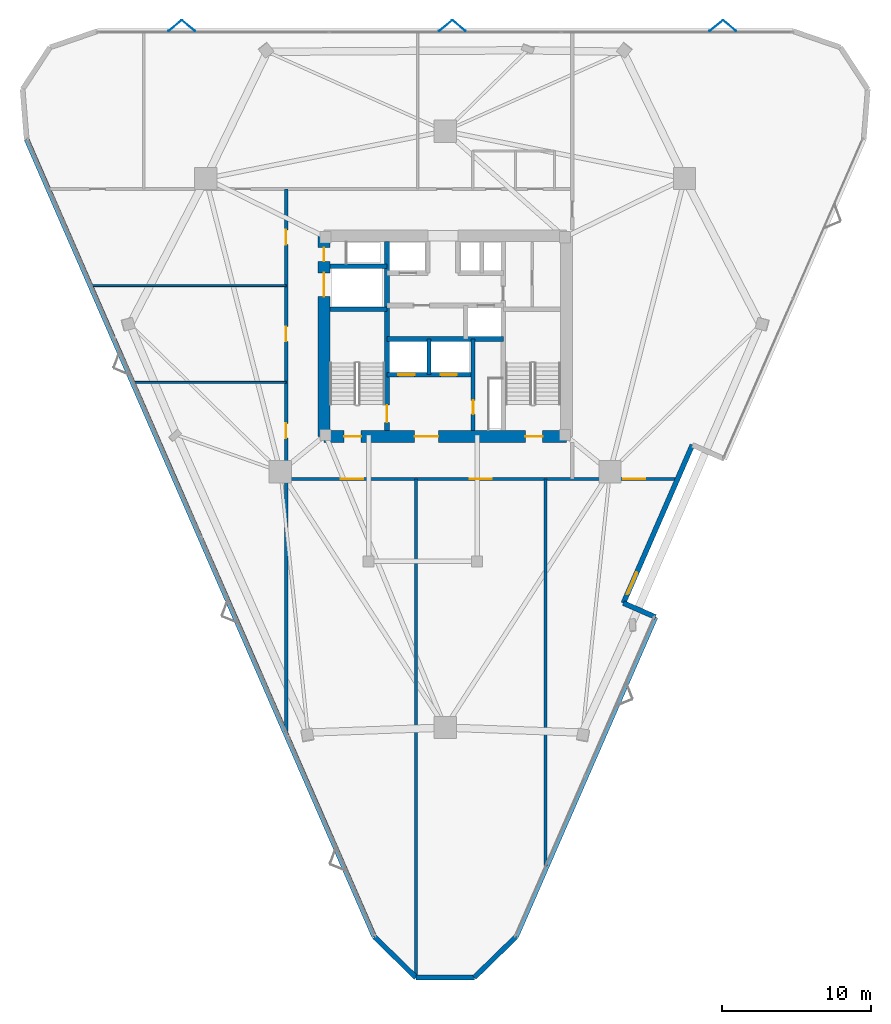
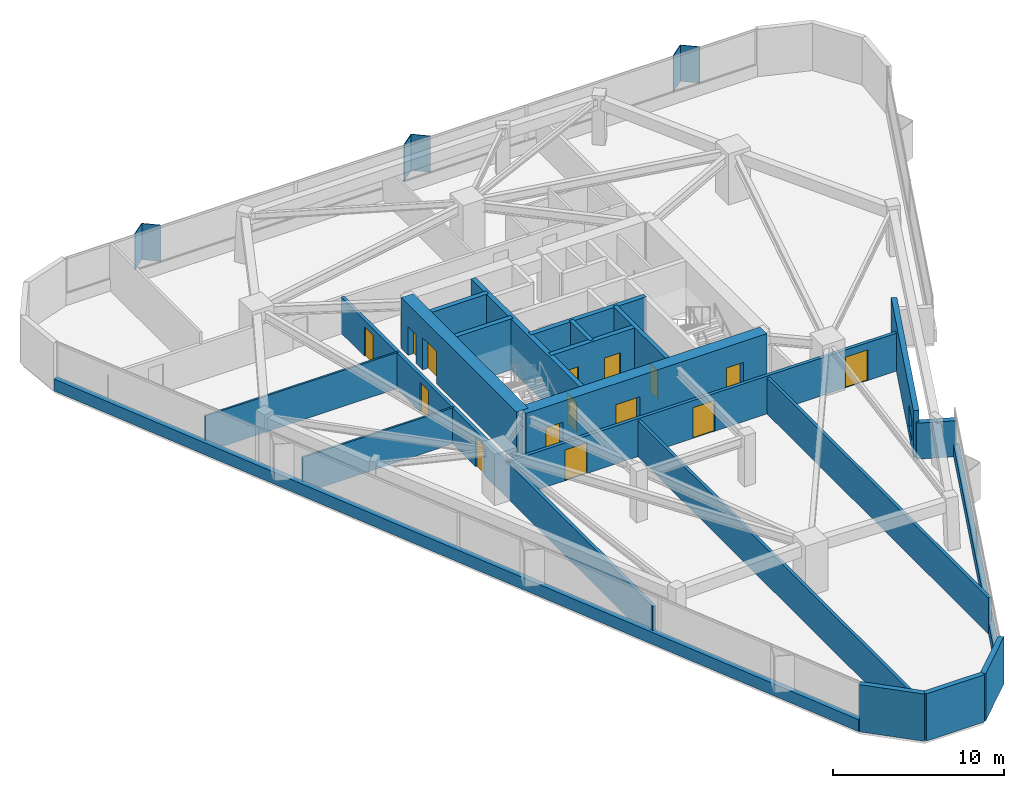
# One storey, part 9 of 12: 22 walls, 15 doors, 6 plates, 1 window, 16 openings.
"""IFC4 building model written with IfcOpenShell, lengths in metres."""

from ifc_helpers import new_model, si_unit, direction, frame, frame_2d, origin, origin_2d, place, context, subcontext, project, spatial, rectangle, extrude, material, layer, layer_set, type_object, element, fill, save


model = new_model("IFC4")

# Units and contexts
model_context = context("Model", 3, precision=1e-05, world=origin(), true_north=direction((0.0, 1.0)))
body_context = subcontext(model_context, "Body", "Model", "MODEL_VIEW")
ifc_project = project(units=[si_unit("LENGTHUNIT", "METRE"), si_unit("AREAUNIT", "SQUARE_METRE"), si_unit("VOLUMEUNIT", "CUBIC_METRE"), si_unit("PLANEANGLEUNIT", "RADIAN"), si_unit("MASSUNIT", "GRAM", prefix="KILO")], contexts=[model_context])

# Site, building, storey
site_placement = place(None, origin())
site = spatial("IfcSite", under=ifc_project, at=site_placement, CompositionType="ELEMENT")
building_placement = place(site_placement, origin())
building = spatial("IfcBuilding", under=site, at=building_placement, Name="Talyreon Biosciences Tower", CompositionType="ELEMENT")
storey_placement = place(building_placement, frame((0.0, 0.0, 152.75)))
storey = spatial("IfcBuildingStorey", under=building, at=storey_placement, Name="L40", CompositionType="ELEMENT", Elevation=152.75)

# Plates
ifc_material_1 = material(Name="Ivory GFRC sunshade panel", Category="concrete")
ifc_layer_1 = layer(ifc_material_1, 0.044921875)
ifc_layer_set_1 = layer_set([ifc_layer_1], Name="Ivory GFRC sunshade panel")
plate_type = type_object("IfcPlateType", Name="FoldedVSunshade_NorthFace_SUNSHADE", PredefinedType="USERDEFINED", material=ifc_layer_set_1)
for number, where, z_axis, x_axis, name in (
    (1, (47.82763671875, 88.87939453125, 0.7900390625), (0.0, 0.0, 1.0), (0.771624583388, 0.636078220278, 0.0), "L40 Folded V-Sunshade Panel 03.01L"),
    (2, (48.727783203125, 88.87939453125, 0.7900390625), (0.0, 0.0, 1.0), (0.771624583388, -0.636078220278, 0.0), "L40 Folded V-Sunshade Panel 03.01R"),
    (3, (66.027587890625, 88.87939453125, 0.7900390625), (0.0, 0.0, 1.0), (0.771624583388, 0.636078220278, 0.0), "L40 Folded V-Sunshade Panel 03.02L"),
    (4, (66.927734375, 88.87939453125, 0.7900390625), (0.0, 0.0, 1.0), (0.771624583388, -0.636078220278, 0.0), "L40 Folded V-Sunshade Panel 03.02R"),
    (5, (84.227783203125, 88.87939453125, 0.7900390625), (0.0, 0.0, 1.0), (0.771624583388, 0.636078220278, 0.0), "L40 Folded V-Sunshade Panel 03.03L"),
    (6, (85.127685546875, 88.87939453125, 0.7900390625), (0.0, 0.0, 1.0), (0.771624583388, -0.636078220278, 0.0), "L40 Folded V-Sunshade Panel 03.03R"),
):
    element("IfcPlate", number, at=place(storey_placement, frame(where, z_axis=z_axis, x_axis=x_axis)), inside=storey, type_object=plate_type, Name=name, ObjectType="SUNSHADE", PredefinedType="USERDEFINED", context=body_context, shape_type="SweptSolid", body=[
        extrude(rectangle(XDim=1.14990234375, YDim=0.044921875, at=origin_2d()), origin(), (0.0, 0.0, 1.0), 2.5849609375),
    ])

# Walls
ifc_material_2 = material(Name="Gypsum fireboard acoustic stud", Category="gypsum")
ifc_layer_2 = layer(ifc_material_2, 0.199951171875)
ifc_layer_set_2 = layer_set([ifc_layer_2], Name="Gypsum fireboard acoustic stud")
wall_type_1 = type_object("IfcWallType", Name="ChemControlPartition_200", PredefinedType="PARTITIONING", material=ifc_layer_set_2)
wall_1_placement = place(storey_placement, frame((64.02490234375, 24.989501953125, 0.0), z_axis=(0.0, 0.0, 1.0), x_axis=(0.0, 1.0, 0.0)))
element("IfcWall", 7, at=wall_1_placement, inside=storey, type_object=wall_type_1, Name="L40 Interior Wall IW-L40-SDIV1", PredefinedType="PARTITIONING", context=body_context, shape_type="SweptSolid", body=[
    extrude(rectangle(XDim=33.390380859375, YDim=0.199951171875, at=frame_2d((16.6953125, 0.0))), origin(), (0.0, 0.0, 1.0), 2.574951171875),
])
wall_2_placement = place(storey_placement, frame((72.7490234375, 32.353271484375, 0.0), z_axis=(0.0, 0.0, 1.0), x_axis=(0.0, 1.0, 0.0)))
element("IfcWall", 8, at=wall_2_placement, inside=storey, type_object=wall_type_1, Name="L40 Interior Wall IW-L40-SDIV2", PredefinedType="PARTITIONING", context=body_context, shape_type="SweptSolid", body=[
    extrude(rectangle(XDim=26.026611328125, YDim=0.199951171875, at=frame_2d((13.01318359375, 0.0))), origin(), (0.0, 0.0, 1.0), 2.574951171875),
])
ifc_material_3 = material(Name="Concrete C50/60", Category="concrete")
ifc_layer_3 = layer(ifc_material_3, 0.280029296875)
ifc_layer_set_3 = layer_set([ifc_layer_3], Name="Concrete C50/60")
wall_type_2 = type_object("IfcWallType", Name="CoreShearWall_280", PredefinedType="SHEAR", material=ifc_layer_set_3)
wall_3_placement = place(storey_placement, frame((64.919921875, 65.39990234375, 0.0), z_axis=(0.0, 0.0, 1.0), x_axis=(0.0, 1.0, 0.0)))
element("IfcWall", 9, at=wall_3_placement, inside=storey, type_object=wall_type_2, Name="L40 Core Shaft Wall SWSHD1", PredefinedType="SHEAR", context=body_context, shape_type="SweptSolid", body=[
    extrude(rectangle(XDim=2.400146484375, YDim=0.280029296875, at=frame_2d((1.2001953125, 0.0))), origin(), (0.0, 0.0, 1.0), 3.64990234375),
])

# Wall, opening, door
wall_4_placement = place(storey_placement, frame((67.8798828125, 61.64990234375, 0.0), z_axis=(0.0, 0.0, 1.0), x_axis=(0.0, 1.0, 0.0)))
wall_4 = element("IfcWall", 10, at=wall_4_placement, inside=storey, type_object=wall_type_2, Name="L40 Core Shaft Wall SWFFE", PredefinedType="SHEAR", context=body_context, shape_type="SweptSolid", body=[
    extrude(rectangle(XDim=6.150146484375, YDim=0.280029296875, at=frame_2d((3.0751953125, 0.0))), origin(), (0.0, 0.0, 1.0), 3.64990234375),
])
opening_1_placement = place(wall_4_placement, frame((1.10009765625, 0.0, 0.0)))
opening_1 = element("IfcOpeningElement", 11, at=opening_1_placement, cuts=wall_4, Name="Opening DR-L40-RSE", PredefinedType="OPENING", context=body_context, shape_type="SweptSolid", body=[
    extrude(rectangle(XDim=0.919921875, YDim=2.050048828125, at=frame_2d((0.4599609375, 1.02490234375))), frame((0.0, 0.14990234375, 0.0), z_axis=(0.0, -1.0, 0.0), x_axis=(1.0, 0.0, 0.0)), (0.0, 0.0, 1.0), 0.300048828125),
])
ifc_material_4 = material(Name="Painted steel fire-rated riser door", Category="steel")
door_type_1 = type_object("IfcDoorType", Name="RiserPlantAccessDoor_920x2050", OperationType="NOTDEFINED", PredefinedType="DOOR", material=ifc_material_4)
door_1_placement = place(opening_1_placement, origin())
door_1 = element("IfcDoor", 12, at=door_1_placement, inside=storey, type_object=door_type_1, Name="L40 Core Door DR-L40-RSE", OperationType="SINGLE_SWING_RIGHT", OverallHeight=2.050048828125, OverallWidth=0.919921875, PredefinedType="DOOR", context=body_context, shape_type="SweptSolid", body=[
    extrude(rectangle(XDim=0.919921875, YDim=2.050048828125, at=frame_2d((0.4599609375, 1.02490234375))), frame((0.0, 0.02490234375, 0.0), z_axis=(0.0, -1.0, 0.0), x_axis=(1.0, 0.0, 0.0)), (0.0, 0.0, 1.0), 0.050048828125),
])
fill(opening_1, door_1)

ifc_layer_4 = layer(ifc_material_3, 0.320068359375)
ifc_layer_set_4 = layer_set([ifc_layer_4], Name="Concrete C50/60")
wall_type_3 = type_object("IfcWallType", Name="CoreShearWall_320", PredefinedType="SHEAR", material=ifc_layer_set_4)
wall_5_placement = place(storey_placement, frame((62.090087890625, 61.64990234375, 0.0), z_axis=(0.0, 0.0, 1.0), x_axis=(0.0, 1.0, 0.0)))
wall_5 = element("IfcWall", 13, at=wall_5_placement, inside=storey, type_object=wall_type_3, Name="L40 Core Shaft Wall SW1E", PredefinedType="SHEAR", context=body_context, shape_type="SweptSolid", body=[
    extrude(rectangle(XDim=12.7001953125, YDim=0.320068359375, at=frame_2d((6.35009765625, 0.0))), origin(), (0.0, 0.0, 1.0), 3.64990234375),
])
opening_2_placement = place(wall_5_placement, frame((0.550048828125, 0.0, 0.0)))
opening_2 = element("IfcOpeningElement", 14, at=opening_2_placement, cuts=wall_5, Name="Opening DR-L40-FF-ST1", PredefinedType="OPENING", context=body_context, shape_type="SweptSolid", body=[
    extrude(rectangle(XDim=1.14990234375, YDim=2.14990234375, at=frame_2d((0.574951171875, 1.074951171875))), frame((0.0, 0.169921875, 0.0), z_axis=(0.0, -1.0, 0.0), x_axis=(1.0, 0.0, 0.0)), (0.0, 0.0, 1.0), 0.340087890625),
])
ifc_material_5 = material(Name="Painted steel fire door", Category="steel")
door_type_2 = type_object("IfcDoorType", Name="StairShaftFireDoor_1150x2150", OperationType="NOTDEFINED", PredefinedType="DOOR", material=ifc_material_5)
door_2_placement = place(opening_2_placement, origin())
door_2 = element("IfcDoor", 15, at=door_2_placement, inside=storey, type_object=door_type_2, Name="L40 Core Door DR-L40-FF-ST1", OperationType="SINGLE_SWING_LEFT", OverallHeight=2.14990234375, OverallWidth=1.14990234375, PredefinedType="DOOR", context=body_context, shape_type="SweptSolid", body=[
    extrude(rectangle(XDim=1.14990234375, YDim=2.14990234375, at=frame_2d((0.574951171875, 1.074951171875))), frame((0.0, 0.02490234375, 0.0), z_axis=(0.0, -1.0, 0.0), x_axis=(1.0, 0.0, 0.0)), (0.0, 0.0, 1.0), 0.050048828125),
])
fill(opening_2, door_2)

# Walls
for number, where, z_axis, x_axis, name in (
    (16, (58.25, 69.81005859375, 0.0), (0.0, 0.0, 1.0), (1.0, 0.0, 0.0), "L40 Core Shaft Wall SW1N"),
    (17, (58.25, 72.699951171875, 0.0), (0.0, 0.0, 1.0), (1.0, 0.0, 0.0), "L40 Core Shaft Wall SWGLN"),
):
    element("IfcWall", number, at=place(storey_placement, frame(where, z_axis=z_axis, x_axis=x_axis)), inside=storey, type_object=wall_type_3, Name=name, PredefinedType="SHEAR", context=body_context, shape_type="SweptSolid", body=[
        extrude(rectangle(XDim=3.840087890625, YDim=0.320068359375, at=frame_2d((1.919921875, 0.0))), origin(), (0.0, 0.0, 1.0), 3.64990234375),
    ])
wall_6_placement = place(storey_placement, frame((62.090087890625, 67.800048828125, 0.0), z_axis=(0.0, 0.0, 1.0), x_axis=(1.0, 0.0, 0.0)))
element("IfcWall", 18, at=wall_6_placement, inside=storey, type_object=wall_type_3, Name="L40 Core Shaft Wall SWSHM", PredefinedType="SHEAR", context=body_context, shape_type="SweptSolid", body=[
    extrude(rectangle(XDim=7.81982421875, YDim=0.320068359375, at=frame_2d((3.909912109375, 0.0))), origin(), (0.0, 0.0, 1.0), 3.64990234375),
])

# Wall, openings, doors
wall_7_placement = place(storey_placement, frame((62.090087890625, 65.39990234375, 0.0), z_axis=(0.0, 0.0, 1.0), x_axis=(1.0, 0.0, 0.0)))
wall_7 = element("IfcWall", 19, at=wall_7_placement, inside=storey, type_object=wall_type_3, Name="L40 Core Shaft Wall SWFFN", PredefinedType="SHEAR", context=body_context, shape_type="SweptSolid", body=[
    extrude(rectangle(XDim=5.789794921875, YDim=0.320068359375, at=frame_2d((2.89501953125, 0.0))), origin(), (0.0, 0.0, 1.0), 3.64990234375),
])
opening_3_placement = place(wall_7_placement, frame((0.75, 0.0, 0.0)))
opening_3 = element("IfcOpeningElement", 20, at=opening_3_placement, cuts=wall_7, Name="Opening LD-L40-FL1", PredefinedType="OPENING", context=body_context, shape_type="SweptSolid", body=[
    extrude(rectangle(XDim=1.10009765625, YDim=2.199951171875, at=frame_2d((0.550048828125, 1.10009765625))), frame((0.0, 0.169921875, 0.0), z_axis=(0.0, -1.0, 0.0), x_axis=(1.0, 0.0, 0.0)), (0.0, 0.0, 1.0), 0.340087890625),
])
opening_4_placement = place(wall_7_placement, frame((3.60009765625, 0.0, 0.0)))
opening_4 = element("IfcOpeningElement", 21, at=opening_4_placement, cuts=wall_7, Name="Opening LD-L40-FL2", PredefinedType="OPENING", context=body_context, shape_type="SweptSolid", body=[
    extrude(rectangle(XDim=1.10009765625, YDim=2.199951171875, at=frame_2d((0.550048828125, 1.10009765625))), frame((0.0, 0.169921875, 0.0), z_axis=(0.0, -1.0, 0.0), x_axis=(1.0, 0.0, 0.0)), (0.0, 0.0, 1.0), 0.340087890625),
])
ifc_material_6 = material(Name="Brushed stainless-steel lift landing door", Category="steel")
door_type_3 = type_object("IfcDoorType", Name="LiftSlidingLandingDoor_1100x2200", OperationType="SLIDING_TO_LEFT", PredefinedType="DOOR", material=ifc_material_6)
door_3_placement = place(opening_3_placement, origin())
door_3 = element("IfcDoor", 22, at=door_3_placement, inside=storey, type_object=door_type_3, Name="L40 Core Door LD-L40-FL1", OperationType="SLIDING_TO_LEFT", OverallHeight=2.199951171875, OverallWidth=1.10009765625, PredefinedType="DOOR", context=body_context, shape_type="SweptSolid", body=[
    extrude(rectangle(XDim=1.10009765625, YDim=2.199951171875, at=frame_2d((0.550048828125, 1.10009765625))), frame((0.0, 0.02490234375, 0.0), z_axis=(0.0, -1.0, 0.0), x_axis=(1.0, 0.0, 0.0)), (0.0, 0.0, 1.0), 0.050048828125),
])
fill(opening_3, door_3)
door_4_placement = place(opening_4_placement, origin())
door_4 = element("IfcDoor", 23, at=door_4_placement, inside=storey, type_object=door_type_3, Name="L40 Core Door LD-L40-FL2", OperationType="SLIDING_TO_LEFT", OverallHeight=2.199951171875, OverallWidth=1.10009765625, PredefinedType="DOOR", context=body_context, shape_type="SweptSolid", body=[
    extrude(rectangle(XDim=1.10009765625, YDim=2.199951171875, at=frame_2d((0.550048828125, 1.10009765625))), frame((0.0, 0.02490234375, 0.0), z_axis=(0.0, -1.0, 0.0), x_axis=(1.0, 0.0, 0.0)), (0.0, 0.0, 1.0), 0.050048828125),
])
fill(opening_4, door_4)

ifc_material_7 = material(Name="Concrete C60/75", Category="concrete")
ifc_layer_5 = layer(ifc_material_7, 0.800048828125)
ifc_layer_set_5 = layer_set([ifc_layer_5], Name="Concrete C60/75")
wall_type_4 = type_object("IfcWallType", Name="CoreShearWall_800", PredefinedType="SHEAR", material=ifc_layer_set_5)
wall_8_placement = place(storey_placement, frame((57.85009765625, 61.25, 0.0), z_axis=(0.0, 0.0, 1.0), x_axis=(1.0, 0.0, 0.0)))
wall_8 = element("IfcWall", 24, at=wall_8_placement, inside=storey, type_object=wall_type_4, Name="L40 Core Shear Wall S", PredefinedType="SHEAR", context=body_context, shape_type="SweptSolid", body=[
    extrude(rectangle(XDim=16.2998046875, YDim=0.800048828125, at=frame_2d((8.14990234375, 0.0))), origin(), (0.0, 0.0, 1.0), 3.64990234375),
])
opening_5_placement = place(wall_8_placement, frame((1.35009765625, 0.0, 0.0)))
opening_5 = element("IfcOpeningElement", 25, at=opening_5_placement, cuts=wall_8, Name="Opening DR-L40-ST1", PredefinedType="OPENING", context=body_context, shape_type="SweptSolid", body=[
    extrude(rectangle(XDim=1.14990234375, YDim=2.14990234375, at=frame_2d((0.574951171875, 1.074951171875))), frame((0.0, 0.409912109375, 0.0), z_axis=(0.0, -1.0, 0.0), x_axis=(1.0, 0.0, 0.0)), (0.0, 0.0, 1.0), 0.820068359375),
])
opening_6_placement = place(wall_8_placement, frame((6.10009765625, 0.0, 0.0)))
opening_6 = element("IfcOpeningElement", 26, at=opening_6_placement, cuts=wall_8, Name="Opening DR-L40-FFL", PredefinedType="OPENING", context=body_context, shape_type="SweptSolid", body=[
    extrude(rectangle(XDim=1.60009765625, YDim=2.14990234375, at=frame_2d((0.800048828125, 1.074951171875))), frame((0.0, 0.409912109375, 0.0), z_axis=(0.0, -1.0, 0.0), x_axis=(1.0, 0.0, 0.0)), (0.0, 0.0, 1.0), 0.820068359375),
])
opening_7_placement = place(wall_8_placement, frame((13.550048828125, 0.0, 0.0)))
opening_7 = element("IfcOpeningElement", 27, at=opening_7_placement, cuts=wall_8, Name="Opening DR-L40-ST2", PredefinedType="OPENING", context=body_context, shape_type="SweptSolid", body=[
    extrude(rectangle(XDim=1.14990234375, YDim=2.14990234375, at=frame_2d((0.574951171875, 1.074951171875))), frame((0.0, 0.409912109375, 0.0), z_axis=(0.0, -1.0, 0.0), x_axis=(1.0, 0.0, 0.0)), (0.0, 0.0, 1.0), 0.820068359375),
])
ifc_material_8 = material(Name="Painted steel smoke-seal fire door", Category="steel")
door_type_4 = type_object("IfcDoorType", Name="FirefightingLobbyDoubleDoor_1600x2150", OperationType="DOUBLE_DOOR_SINGLE_SWING", PredefinedType="DOOR", material=ifc_material_8)
door_5_placement = place(opening_6_placement, origin())
door_5 = element("IfcDoor", 28, at=door_5_placement, inside=storey, type_object=door_type_4, Name="L40 Core Door DR-L40-FFL", OperationType="DOUBLE_DOOR_SINGLE_SWING", OverallHeight=2.14990234375, OverallWidth=1.60009765625, PredefinedType="DOOR", context=body_context, shape_type="SweptSolid", body=[
    extrude(rectangle(XDim=1.60009765625, YDim=2.14990234375, at=frame_2d((0.800048828125, 1.074951171875))), frame((0.0, 0.02490234375, 0.0), z_axis=(0.0, -1.0, 0.0), x_axis=(1.0, 0.0, 0.0)), (0.0, 0.0, 1.0), 0.050048828125),
])
fill(opening_6, door_5)
door_6_placement = place(opening_5_placement, origin())
door_6 = element("IfcDoor", 29, at=door_6_placement, inside=storey, type_object=door_type_2, Name="L40 Core Door DR-L40-ST1", OperationType="SINGLE_SWING_LEFT", OverallHeight=2.14990234375, OverallWidth=1.14990234375, PredefinedType="DOOR", context=body_context, shape_type="SweptSolid", body=[
    extrude(rectangle(XDim=1.14990234375, YDim=2.14990234375, at=frame_2d((0.574951171875, 1.074951171875))), frame((0.0, 0.02490234375, 0.0), z_axis=(0.0, -1.0, 0.0), x_axis=(1.0, 0.0, 0.0)), (0.0, 0.0, 1.0), 0.050048828125),
])
fill(opening_5, door_6)
door_7_placement = place(opening_7_placement, origin())
door_7 = element("IfcDoor", 30, at=door_7_placement, inside=storey, type_object=door_type_2, Name="L40 Core Door DR-L40-ST2", OperationType="SINGLE_SWING_RIGHT", OverallHeight=2.14990234375, OverallWidth=1.14990234375, PredefinedType="DOOR", context=body_context, shape_type="SweptSolid", body=[
    extrude(rectangle(XDim=1.14990234375, YDim=2.14990234375, at=frame_2d((0.574951171875, 1.074951171875))), frame((0.0, 0.02490234375, 0.0), z_axis=(0.0, -1.0, 0.0), x_axis=(1.0, 0.0, 0.0)), (0.0, 0.0, 1.0), 0.050048828125),
])
fill(opening_7, door_7)

wall_9_placement = place(storey_placement, frame((57.85009765625, 74.75, 0.0), z_axis=(0.0, 0.0, 1.0), x_axis=(0.0, -1.0, 0.0)))
wall_9 = element("IfcWall", 31, at=wall_9_placement, inside=storey, type_object=wall_type_4, Name="L40 Core Shear Wall W", PredefinedType="SHEAR", context=body_context, shape_type="SweptSolid", body=[
    extrude(rectangle(XDim=13.5, YDim=0.800048828125, at=frame_2d((6.75, 0.0))), origin(), (0.0, 0.0, 1.0), 3.64990234375),
])
opening_8_placement = place(wall_9_placement, frame((0.800048828125, 0.0, 0.0)))
opening_8 = element("IfcOpeningElement", 32, at=opening_8_placement, cuts=wall_9, Name="Opening DR-L40-RSW", PredefinedType="OPENING", context=body_context, shape_type="SweptSolid", body=[
    extrude(rectangle(XDim=0.919921875, YDim=2.050048828125, at=frame_2d((0.4599609375, 1.02490234375))), frame((0.0, 0.409912109375, 0.0), z_axis=(0.0, -1.0, 0.0), x_axis=(1.0, 0.0, 0.0)), (0.0, 0.0, 1.0), 0.820068359375),
])
opening_9_placement = place(wall_9_placement, frame((2.5, 0.0, 0.0)))
opening_9 = element("IfcOpeningElement", 33, at=opening_9_placement, cuts=wall_9, Name="Opening LD-L40-GL1", PredefinedType="OPENING", context=body_context, shape_type="SweptSolid", body=[
    extrude(rectangle(XDim=1.60009765625, YDim=2.300048828125, at=frame_2d((0.800048828125, 1.14990234375))), frame((0.0, 0.409912109375, 0.0), z_axis=(0.0, -1.0, 0.0), x_axis=(1.0, 0.0, 0.0)), (0.0, 0.0, 1.0), 0.820068359375),
])
ifc_material_9 = material(Name="Heavy-duty stainless-steel goods lift door", Category="steel")
door_type_5 = type_object("IfcDoorType", Name="GoodsLiftSlidingDoor_1600x2300", OperationType="DOUBLE_DOOR_SLIDING", PredefinedType="DOOR", material=ifc_material_9)
door_8_placement = place(opening_9_placement, origin())
door_8 = element("IfcDoor", 34, at=door_8_placement, inside=storey, type_object=door_type_5, Name="L40 Core Door LD-L40-GL1", OperationType="DOUBLE_DOOR_SLIDING", OverallHeight=2.300048828125, OverallWidth=1.60009765625, PredefinedType="DOOR", context=body_context, shape_type="SweptSolid", body=[
    extrude(rectangle(XDim=1.60009765625, YDim=2.300048828125, at=frame_2d((0.800048828125, 1.14990234375))), frame((0.0, 0.02490234375, 0.0), z_axis=(0.0, -1.0, 0.0), x_axis=(1.0, 0.0, 0.0)), (0.0, 0.0, 1.0), 0.050048828125),
])
fill(opening_9, door_8)
door_9_placement = place(opening_8_placement, origin())
door_9 = element("IfcDoor", 35, at=door_9_placement, inside=storey, type_object=door_type_1, Name="L40 Core Door DR-L40-RSW", OperationType="SINGLE_SWING_LEFT", OverallHeight=2.050048828125, OverallWidth=0.919921875, PredefinedType="DOOR", context=body_context, shape_type="SweptSolid", body=[
    extrude(rectangle(XDim=0.919921875, YDim=2.050048828125, at=frame_2d((0.4599609375, 1.02490234375))), frame((0.0, 0.02490234375, 0.0), z_axis=(0.0, -1.0, 0.0), x_axis=(1.0, 0.0, 0.0)), (0.0, 0.0, 1.0), 0.050048828125),
])
fill(opening_8, door_9)

ifc_layer_6 = layer(ifc_material_2, 0.219970703125)
ifc_layer_set_6 = layer_set([ifc_layer_6], Name="Gypsum fireboard acoustic stud")
wall_type_5 = type_object("IfcWallType", Name="CorridorRatedPartition_220", PredefinedType="PARTITIONING", material=ifc_layer_set_6)
wall_10_placement = place(storey_placement, frame((55.300048828125, 58.3798828125, 0.0), z_axis=(0.0, 0.0, 1.0), x_axis=(1.0, 0.0, 0.0)))
wall_10 = element("IfcWall", 36, at=wall_10_placement, inside=storey, type_object=wall_type_5, Name="L40 Interior Wall IW-L40-COR-S", PredefinedType="PARTITIONING", context=body_context, shape_type="SweptSolid", body=[
    extrude(rectangle(XDim=26.234130859375, YDim=0.219970703125, at=frame_2d((13.1171875, 0.0))), origin(), (0.0, 0.0, 1.0), 2.705078125),
])
opening_10_placement = place(wall_10_placement, frame((3.68798828125, 0.0, 0.0)))
opening_10 = element("IfcOpeningElement", 37, at=opening_10_placement, cuts=wall_10, Name="Opening DR-L40-S1A", PredefinedType="OPENING", context=body_context, shape_type="SweptSolid", body=[
    extrude(rectangle(XDim=1.5, YDim=2.199951171875, at=frame_2d((0.75, 1.10009765625))), frame((0.0, 0.119873046875, 0.0), z_axis=(0.0, -1.0, 0.0), x_axis=(1.0, 0.0, 0.0)), (0.0, 0.0, 1.0), 0.239990234375),
])
opening_11_placement = place(wall_10_placement, frame((12.3369140625, 0.0, 0.0)))
opening_11 = element("IfcOpeningElement", 38, at=opening_11_placement, cuts=wall_10, Name="Opening DR-L40-S2A", PredefinedType="OPENING", context=body_context, shape_type="SweptSolid", body=[
    extrude(rectangle(XDim=1.5, YDim=2.199951171875, at=frame_2d((0.75, 1.10009765625))), frame((0.0, 0.119873046875, 0.0), z_axis=(0.0, -1.0, 0.0), x_axis=(1.0, 0.0, 0.0)), (0.0, 0.0, 1.0), 0.239990234375),
])
opening_12_placement = place(wall_10_placement, frame((22.6650390625, 0.0, 0.0)))
opening_12 = element("IfcOpeningElement", 39, at=opening_12_placement, cuts=wall_10, Name="Opening DR-L40-S3A", PredefinedType="OPENING", context=body_context, shape_type="SweptSolid", body=[
    extrude(rectangle(XDim=1.5, YDim=2.199951171875, at=frame_2d((0.75, 1.10009765625))), frame((0.0, 0.119873046875, 0.0), z_axis=(0.0, -1.0, 0.0), x_axis=(1.0, 0.0, 0.0)), (0.0, 0.0, 1.0), 0.239990234375),
])
ifc_material_10 = material(Name="Vision-panel steel laboratory fire door", Category="steel")
door_type_6 = type_object("IfcDoorType", Name="WetLabDoubleLeafDoor_1500x2200", OperationType="DOUBLE_DOOR_SINGLE_SWING", PredefinedType="DOOR", material=ifc_material_10)
door_10_placement = place(opening_10_placement, origin())
door_10 = element("IfcDoor", 40, at=door_10_placement, inside=storey, type_object=door_type_6, Name="L40 Interior Door DR-L40-S1A", OperationType="DOUBLE_DOOR_SINGLE_SWING", OverallHeight=2.199951171875, OverallWidth=1.5, PredefinedType="DOOR", context=body_context, shape_type="SweptSolid", body=[
    extrude(rectangle(XDim=1.5, YDim=2.199951171875, at=frame_2d((0.75, 1.10009765625))), frame((0.0, 0.02490234375, 0.0), z_axis=(0.0, -1.0, 0.0), x_axis=(1.0, 0.0, 0.0)), (0.0, 0.0, 1.0), 0.050048828125),
])
fill(opening_10, door_10)
door_11_placement = place(opening_11_placement, origin())
door_11 = element("IfcDoor", 41, at=door_11_placement, inside=storey, type_object=door_type_6, Name="L40 Interior Door DR-L40-S2A", OperationType="DOUBLE_DOOR_SINGLE_SWING", OverallHeight=2.199951171875, OverallWidth=1.5, PredefinedType="DOOR", context=body_context, shape_type="SweptSolid", body=[
    extrude(rectangle(XDim=1.5, YDim=2.199951171875, at=frame_2d((0.75, 1.10009765625))), frame((0.0, 0.02490234375, 0.0), z_axis=(0.0, -1.0, 0.0), x_axis=(1.0, 0.0, 0.0)), (0.0, 0.0, 1.0), 0.050048828125),
])
fill(opening_11, door_11)
door_12_placement = place(opening_12_placement, origin())
door_12 = element("IfcDoor", 42, at=door_12_placement, inside=storey, type_object=door_type_6, Name="L40 Interior Door DR-L40-S3A", OperationType="DOUBLE_DOOR_SINGLE_SWING", OverallHeight=2.199951171875, OverallWidth=1.5, PredefinedType="DOOR", context=body_context, shape_type="SweptSolid", body=[
    extrude(rectangle(XDim=1.5, YDim=2.199951171875, at=frame_2d((0.75, 1.10009765625))), frame((0.0, 0.02490234375, 0.0), z_axis=(0.0, -1.0, 0.0), x_axis=(1.0, 0.0, 0.0)), (0.0, 0.0, 1.0), 0.050048828125),
])
fill(opening_12, door_12)

wall_11_placement = place(storey_placement, frame((55.300048828125, 41.414306640625, 0.0), z_axis=(0.0, 0.0, 1.0), x_axis=(0.0, 1.0, 0.0)))
wall_11 = element("IfcWall", 43, at=wall_11_placement, inside=storey, type_object=wall_type_5, Name="L40 Interior Wall IW-L40-COR-W", PredefinedType="PARTITIONING", context=body_context, shape_type="SweptSolid", body=[
    extrude(rectangle(XDim=36.485595703125, YDim=0.219970703125, at=frame_2d((18.24267578125, 0.0))), origin(), (0.0, 0.0, 1.0), 2.574951171875),
])
opening_13_placement = place(wall_11_placement, frame((19.718994140625, 0.0, 0.0)))
opening_13 = element("IfcOpeningElement", 44, at=opening_13_placement, cuts=wall_11, Name="Opening DR-L40-W1A", PredefinedType="OPENING", context=body_context, shape_type="SweptSolid", body=[
    extrude(rectangle(XDim=1.0, YDim=2.10009765625, at=frame_2d((0.5, 1.050048828125))), frame((0.0, 0.119873046875, 0.0), z_axis=(0.0, -1.0, 0.0), x_axis=(1.0, 0.0, 0.0)), (0.0, 0.0, 1.0), 0.239990234375),
])
opening_14_placement = place(wall_11_placement, frame((26.22607421875, 0.0, 0.0)))
opening_14 = element("IfcOpeningElement", 45, at=opening_14_placement, cuts=wall_11, Name="Opening DR-L40-W2A", PredefinedType="OPENING", context=body_context, shape_type="SweptSolid", body=[
    extrude(rectangle(XDim=1.0, YDim=2.10009765625, at=frame_2d((0.5, 1.050048828125))), frame((0.0, 0.119873046875, 0.0), z_axis=(0.0, -1.0, 0.0), x_axis=(1.0, 0.0, 0.0)), (0.0, 0.0, 1.0), 0.239990234375),
])
opening_15_placement = place(wall_11_placement, frame((32.73193359375, 0.0, 0.0)))
opening_15 = element("IfcOpeningElement", 46, at=opening_15_placement, cuts=wall_11, Name="Opening DR-L40-W3A", PredefinedType="OPENING", context=body_context, shape_type="SweptSolid", body=[
    extrude(rectangle(XDim=1.0, YDim=2.10009765625, at=frame_2d((0.5, 1.050048828125))), frame((0.0, 0.119873046875, 0.0), z_axis=(0.0, -1.0, 0.0), x_axis=(1.0, 0.0, 0.0)), (0.0, 0.0, 1.0), 0.239990234375),
])
ifc_material_11 = material(Name="Acoustic oak veneer office door", Category="wood")
door_type_7 = type_object("IfcDoorType", Name="WriteupOfficeDoor_1000x2100", OperationType="NOTDEFINED", PredefinedType="DOOR", material=ifc_material_11)
door_13_placement = place(opening_13_placement, origin())
door_13 = element("IfcDoor", 47, at=door_13_placement, inside=storey, type_object=door_type_7, Name="L40 Interior Door DR-L40-W1A", OperationType="SINGLE_SWING_RIGHT", OverallHeight=2.10009765625, OverallWidth=1.0, PredefinedType="DOOR", context=body_context, shape_type="SweptSolid", body=[
    extrude(rectangle(XDim=1.0, YDim=2.10009765625, at=frame_2d((0.5, 1.050048828125))), frame((0.0, 0.02490234375, 0.0), z_axis=(0.0, -1.0, 0.0), x_axis=(1.0, 0.0, 0.0)), (0.0, 0.0, 1.0), 0.050048828125),
])
fill(opening_13, door_13)
door_14_placement = place(opening_14_placement, origin())
door_14 = element("IfcDoor", 48, at=door_14_placement, inside=storey, type_object=door_type_7, Name="L40 Interior Door DR-L40-W2A", OperationType="SINGLE_SWING_RIGHT", OverallHeight=2.10009765625, OverallWidth=1.0, PredefinedType="DOOR", context=body_context, shape_type="SweptSolid", body=[
    extrude(rectangle(XDim=1.0, YDim=2.10009765625, at=frame_2d((0.5, 1.050048828125))), frame((0.0, 0.02490234375, 0.0), z_axis=(0.0, -1.0, 0.0), x_axis=(1.0, 0.0, 0.0)), (0.0, 0.0, 1.0), 0.050048828125),
])
fill(opening_14, door_14)
door_15_placement = place(opening_15_placement, origin())
door_15 = element("IfcDoor", 49, at=door_15_placement, inside=storey, type_object=door_type_7, Name="L40 Interior Door DR-L40-W3A", OperationType="SINGLE_SWING_LEFT", OverallHeight=2.10009765625, OverallWidth=1.0, PredefinedType="DOOR", context=body_context, shape_type="SweptSolid", body=[
    extrude(rectangle(XDim=1.0, YDim=2.10009765625, at=frame_2d((0.5, 1.050048828125))), frame((0.0, 0.02490234375, 0.0), z_axis=(0.0, -1.0, 0.0), x_axis=(1.0, 0.0, 0.0)), (0.0, 0.0, 1.0), 0.050048828125),
])
fill(opening_15, door_15)

# Walls
ifc_material_12 = material(Name="Gypsum acoustic stud partition", Category="gypsum")
ifc_layer_7 = layer(ifc_material_12, 0.1298828125)
ifc_layer_set_7 = layer_set([ifc_layer_7], Name="Gypsum acoustic stud partition")
wall_type_6 = type_object("IfcWallType", Name="OfficeWriteupPartition_130", PredefinedType="PARTITIONING", material=ifc_layer_set_7)
wall_12_placement = place(storey_placement, frame((45.064697265625, 64.886962890625, 0.0), z_axis=(0.0, 0.0, 1.0), x_axis=(1.0, 0.0, 0.0)))
element("IfcWall", 50, at=wall_12_placement, inside=storey, type_object=wall_type_6, Name="L40 Interior Wall IW-L40-WDIV1", PredefinedType="PARTITIONING", context=body_context, shape_type="SweptSolid", body=[
    extrude(rectangle(XDim=10.2353515625, YDim=0.1298828125, at=frame_2d((5.11767578125, 0.0))), origin(), (0.0, 0.0, 1.0), 2.574951171875),
])
wall_13_placement = place(storey_placement, frame((42.227783203125, 71.39306640625, 0.0), z_axis=(0.0, 0.0, 1.0), x_axis=(1.0, 0.0, 0.0)))
element("IfcWall", 51, at=wall_13_placement, inside=storey, type_object=wall_type_6, Name="L40 Interior Wall IW-L40-WDIV2", PredefinedType="PARTITIONING", context=body_context, shape_type="SweptSolid", body=[
    extrude(rectangle(XDim=13.072265625, YDim=0.1298828125, at=frame_2d((6.5361328125, 0.0))), origin(), (0.0, 0.0, 1.0), 2.574951171875),
])

# Wall, opening, window
ifc_material_13 = material(Name="Precast concrete C45/55", Category="concrete")
ifc_layer_8 = layer(ifc_material_13, 0.340087890625)
ifc_layer_set_8 = layer_set([ifc_layer_8], Name="Precast concrete C45/55")
wall_type_7 = type_object("IfcWallType", Name="PrecastConcreteSpandrelWall_340", PredefinedType="STANDARD", material=ifc_layer_set_8)
wall_14_placement = place(storey_placement, frame((82.626953125, 60.67333984375, 0.0), z_axis=(0.0, 0.0, 1.0), x_axis=(-0.399697883631, -0.916646934114, 0.0)))
wall_14 = element("IfcWall", 52, at=wall_14_placement, inside=storey, type_object=wall_type_7, Name="L40 Terrace Backing Concrete Wall 09", PredefinedType="STANDARD", context=body_context, shape_type="SweptSolid", body=[
    extrude(rectangle(XDim=11.599853515625, YDim=0.340087890625, at=frame_2d((5.7998046875, 0.0))), origin(), (0.0, 0.0, 1.0), 3.375),
])
opening_16_placement = place(wall_14_placement, frame((9.35009765625, 0.0, 0.699951171875)))
opening_16 = element("IfcOpeningElement", 53, at=opening_16_placement, cuts=wall_14, Name="Opening W06", PredefinedType="OPENING", context=body_context, shape_type="SweptSolid", body=[
    extrude(rectangle(XDim=1.60009765625, YDim=1.5, at=frame_2d((0.800048828125, 0.75))), frame((0.0, 0.179931640625, 0.0), z_axis=(0.0, -1.0, 0.0), x_axis=(1.0, 0.0, 0.0)), (0.0, 0.0, 1.0), 0.360107421875),
])
ifc_material_14 = material(Name="Thermally broken triple low-E aluminium window", Category="aluminium")
window_type = type_object("IfcWindowType", Name="CrownLouvredWindow_1600x1500", PartitioningType="SINGLE_PANEL", PredefinedType="WINDOW", material=ifc_material_14)
window_placement = place(opening_16_placement, origin())
window = element("IfcWindow", 54, at=window_placement, inside=storey, type_object=window_type, Name="L40 Sky-Garden Loggia Window 09", OverallHeight=1.5, OverallWidth=1.60009765625, PartitioningType="SINGLE_PANEL", PredefinedType="WINDOW", context=body_context, shape_type="SweptSolid", body=[
    extrude(rectangle(XDim=1.60009765625, YDim=1.5, at=frame_2d((0.800048828125, 0.75))), frame((0.0, 0.030029296875, 0.0), z_axis=(0.0, -1.0, 0.0), x_axis=(1.0, 0.0, 0.0)), (0.0, 0.0, 1.0), 0.06005859375),
])
fill(opening_16, window)

# Walls
wall_15_placement = place(storey_placement, frame((77.990478515625, 50.040283203125, 0.0), z_axis=(0.0, 0.0, 1.0), x_axis=(0.916654976367, -0.399679439429, 0.0)))
element("IfcWall", 55, at=wall_15_placement, inside=storey, type_object=wall_type_7, Name="L40 Terrace Backing Concrete Wall 10", PredefinedType="STANDARD", context=body_context, shape_type="SweptSolid", body=[
    extrude(rectangle(XDim=2.349853515625, YDim=0.340087890625, at=frame_2d((1.1748046875, 0.0))), origin(), (0.0, 0.0, 1.0), 2.574951171875),
])
wall_16_placement = place(storey_placement, frame((80.14453125, 49.10107421875, 0.0), z_axis=(0.0, 0.0, 1.0), x_axis=(-0.399698418424, -0.916646700921, 0.0)))
element("IfcWall", 56, at=wall_16_placement, inside=storey, type_object=wall_type_7, Name="L40 Expressed Concrete Sill Wall 11", PredefinedType="STANDARD", context=body_context, shape_type="SweptSolid", body=[
    extrude(rectangle(XDim=23.46240234375, YDim=0.340087890625, at=frame_2d((11.731201171875, 0.0))), origin(), (0.0, 0.0, 1.0), 0.85009765625),
])
wall_17_placement = place(storey_placement, frame((70.7666015625, 27.59423828125, 0.0), z_axis=(0.0, 0.0, 1.0), x_axis=(-0.715770561267, -0.698335523672, 0.0)))
element("IfcWall", 57, at=wall_17_placement, inside=storey, type_object=wall_type_7, Name="L40 Rounded-Corner Concrete Pier 12", PredefinedType="STANDARD", context=body_context, shape_type="SweptSolid", body=[
    extrude(rectangle(XDim=3.9208984375, YDim=0.340087890625, at=frame_2d((1.96044921875, 0.0))), origin(), (0.0, 0.0, 1.0), 3.375),
])
wall_18_placement = place(storey_placement, frame((67.960205078125, 24.856201171875, 0.0), z_axis=(0.0, 0.0, 1.0), x_axis=(-1.0, 0.0, 0.0)))
element("IfcWall", 58, at=wall_18_placement, inside=storey, type_object=wall_type_7, Name="L40 Rounded-Corner Concrete Pier 13", PredefinedType="STANDARD", context=body_context, shape_type="SweptSolid", body=[
    extrude(rectangle(XDim=3.92041015625, YDim=0.340087890625, at=frame_2d((1.960205078125, 0.0))), origin(), (0.0, 0.0, 1.0), 3.375),
])
wall_19_placement = place(storey_placement, frame((64.039794921875, 24.856201171875, 0.0), z_axis=(0.0, 0.0, 1.0), x_axis=(-0.715770561267, 0.698335523672, 0.0)))
element("IfcWall", 59, at=wall_19_placement, inside=storey, type_object=wall_type_7, Name="L40 Rounded-Corner Concrete Pier 14", PredefinedType="STANDARD", context=body_context, shape_type="SweptSolid", body=[
    extrude(rectangle(XDim=3.9208984375, YDim=0.340087890625, at=frame_2d((1.96044921875, 0.0))), origin(), (0.0, 0.0, 1.0), 3.375),
])
wall_20_placement = place(storey_placement, frame((61.2333984375, 27.59423828125, 0.0), z_axis=(0.0, 0.0, 1.0), x_axis=(-0.399698312425, 0.916646747141, 0.0)))
element("IfcWall", 60, at=wall_20_placement, inside=storey, type_object=wall_type_7, Name="L40 Expressed Concrete Sill Wall 15", PredefinedType="STANDARD", context=body_context, shape_type="SweptSolid", body=[
    extrude(rectangle(XDim=58.52490234375, YDim=0.340087890625, at=frame_2d((29.262451171875, 0.0))), origin(), (0.0, 0.0, 1.0), 0.85009765625),
])

save(model, "model.ifc")
